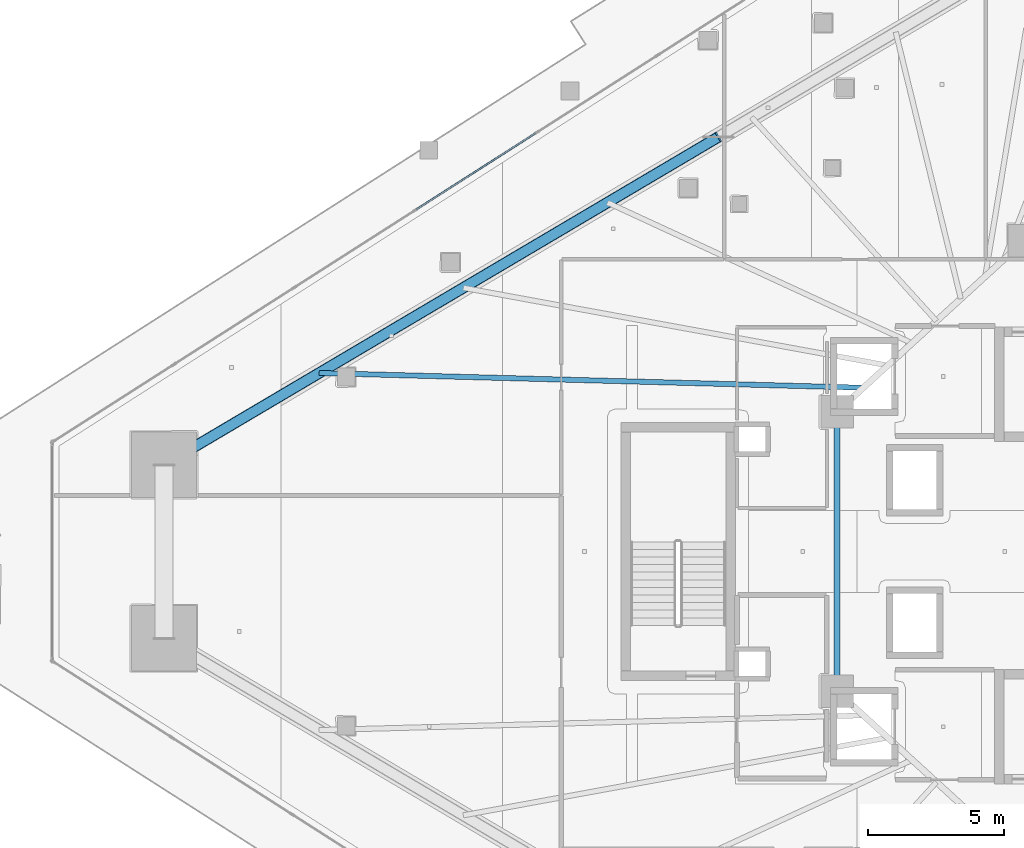
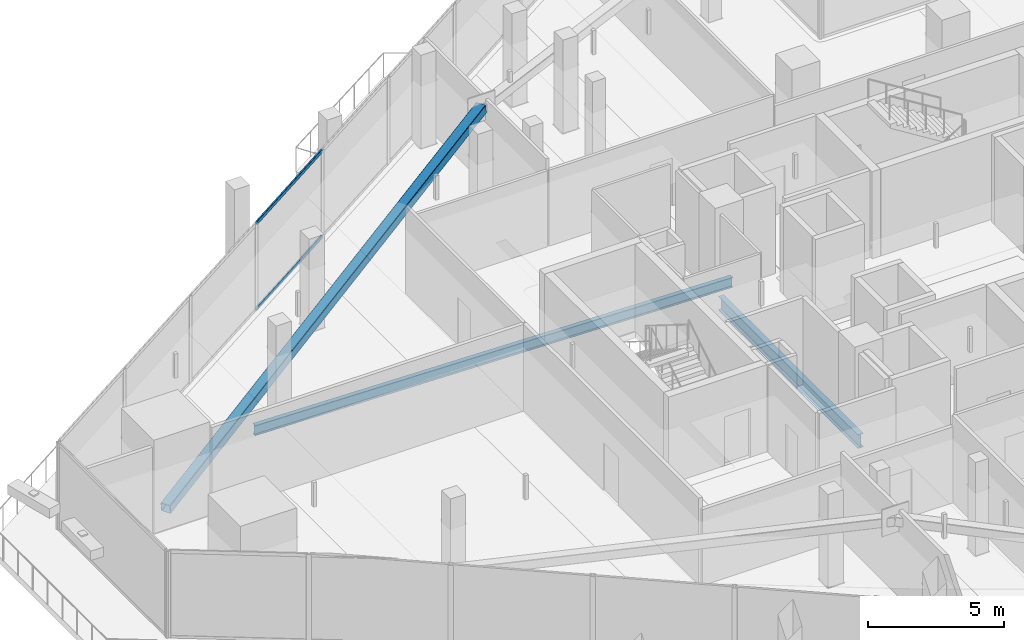
# One storey, part 13 of 47: 3 members, 2 beams, 1 element without a shape of its own.
"""IFC4 building model written with IfcOpenShell, lengths in metres."""

from ifc_helpers import new_model, si_unit, direction, frame, origin, origin_2d, place, context, subcontext, project, spatial, hollow_rectangle, i_section, extrude, material, layer, layer_set, material_profile, profile_set, type_object, element, aggregate, save


model = new_model("IFC4")

# Units and contexts
model_context = context("Model", 3, precision=1e-05, world=origin(), true_north=direction((0.0, 1.0)))
body_context = subcontext(model_context, "Body", "Model", "MODEL_VIEW")
ifc_project = project(units=[si_unit("LENGTHUNIT", "METRE"), si_unit("AREAUNIT", "SQUARE_METRE"), si_unit("VOLUMEUNIT", "CUBIC_METRE"), si_unit("PLANEANGLEUNIT", "RADIAN"), si_unit("MASSUNIT", "GRAM", prefix="KILO")], contexts=[model_context])

# Site, building, storey
site_placement = place(None, origin())
site = spatial("IfcSite", under=ifc_project, at=site_placement, CompositionType="ELEMENT")
building_placement = place(site_placement, origin())
building = spatial("IfcBuilding", under=site, at=building_placement, Name="Qorvath Tower", CompositionType="ELEMENT")
storey_placement = place(building_placement, frame((0.0, 0.0, 74.39990234375)))
storey = spatial("IfcBuildingStorey", under=building, at=storey_placement, Name="L16", CompositionType="ELEMENT", Elevation=74.39990234375)

# Beams
ifc_material_1 = material(Name="Steel ASTM A992 Grade 50", Category="steel")
ifc_material_profile_1 = material_profile(ifc_material_1, i_section(OverallWidth=0.22998046875, OverallDepth=0.616943359375, WebThickness=0.01318359375, FlangeThickness=0.022216796875, FilletRadius=0.014892578125, at=origin_2d()), Name="W24x94")
ifc_profile_set_1 = profile_set([ifc_material_profile_1], Name="Steel ASTM A992 Grade 50")
beam_type_1 = type_object("IfcBeamType", Name="BM-FG6", PredefinedType="BEAM", material=ifc_profile_set_1)
beam_1_placement = place(storey_placement, frame((-30.5, -5.14990234375, -0.58837890625), z_axis=(0.0, 1.0, 0.0), x_axis=(-1.0, 0.0, 0.0)))
element("IfcBeam", 1, at=beam_1_placement, inside=storey, type_object=beam_type_1, Name="Core Ring Girder CC6-CC5 L16", PredefinedType="BEAM", context=body_context, shape_type="SweptSolid", body=[
    extrude(i_section(OverallWidth=0.22998046875, OverallDepth=0.616943359375, WebThickness=0.01318359375, FlangeThickness=0.022216796875, FilletRadius=0.014892578125, at=origin_2d()), origin(), (0.0, 0.0, 1.0), 10.2998046875),
])
ifc_material_2 = material(Name="Steel ASTM A992 Grade 50", Category="steel")
ifc_material_profile_2 = material_profile(ifc_material_2, i_section(OverallWidth=0.18994140625, OverallDepth=0.45703125, WebThickness=0.009033203125, FlangeThickness=0.014404296875, FilletRadius=0.011962890625, at=origin_2d()), Name="W18x50")
ifc_profile_set_2 = profile_set([ifc_material_profile_2], Name="Steel ASTM A992 Grade 50")
beam_type_2 = type_object("IfcBeamType", Name="BM-FJ2", PredefinedType="JOIST", material=ifc_profile_set_2)
beam_2_placement = place(storey_placement, frame((-29.533935546875, 6.031982421875, -0.50830078125), z_axis=(-0.999634925413, 0.02701880631, 0.0), x_axis=(-0.02701880631, -0.999634925413, 0.0)))
element("IfcBeam", 2, at=beam_2_placement, inside=storey, type_object=beam_type_2, Name="Composite Floor Joist NW1 L16", PredefinedType="JOIST", context=body_context, shape_type="SweptSolid", body=[
    extrude(i_section(OverallWidth=0.18994140625, OverallDepth=0.45703125, WebThickness=0.009033203125, FlangeThickness=0.014404296875, FilletRadius=0.011962890625, at=origin_2d()), origin(), (0.0, 0.0, 1.0), 20.041748046875),
])

# Curtain wall, members
ifc_material_3 = material(Name="Anodised aluminium and triple low-E glass", Category="aluminium")
ifc_layer = layer(ifc_material_3, 0.179931640625)
ifc_layer_set = layer_set([ifc_layer], Name="CW-SYS-5")
curtain_wall_type = type_object("IfcCurtainWallType", Name="CW-SYS-5", PredefinedType="NOTDEFINED", material=ifc_layer_set)
curtain_wall_placement = place(storey_placement, origin())
curtain_wall = element("IfcCurtainWall", 3, at=curtain_wall_placement, inside=storey, type_object=curtain_wall_type, Name="Curtain Wall CW-5 CW-T-L16-4.1", PredefinedType="NOTDEFINED")
ifc_material_4 = material(Name="Anodised aluminium 6063-T6", Category="aluminium")
ifc_material_profile_3 = material_profile(ifc_material_4, hollow_rectangle(XDim=0.06494140625, YDim=0.159912109375, WallThickness=0.00341796875, InnerFilletRadius=0.00341796875, OuterFilletRadius=0.007080078125, at=origin_2d()), Name="CWT 160x65")
ifc_profile_set_3 = profile_set([ifc_material_profile_3], Name="Anodised aluminium 6063-T6")
member_type_1 = type_object("IfcMemberType", Name="CWT-160", PredefinedType="USERDEFINED", material=ifc_profile_set_3)
member_1_placement = place(storey_placement, frame((-41.59814453125, 15.405517578125, 0.032470703125), z_axis=(-0.842605385104, -0.538531489324, 0.0), x_axis=(0.538531489324, -0.842605385104, 0.0)))
member_1 = element("IfcMember", 4, at=member_1_placement, type_object=member_type_1, Name="CW-5 transom 6.1", ObjectType="TRANSOM", PredefinedType="USERDEFINED", context=body_context, shape_type="SweptSolid", body=[
    extrude(hollow_rectangle(XDim=0.06494140625, YDim=0.159912109375, WallThickness=0.00341796875, InnerFilletRadius=0.00341796875, OuterFilletRadius=0.007080078125, at=origin_2d()), origin(), (0.0, 0.0, 1.0), 5.21484375),
])
member_2_placement = place(storey_placement, frame((-41.59814453125, 15.405517578125, 3.8876953125), z_axis=(-0.842605385104, -0.538531489324, 0.0), x_axis=(0.538531489324, -0.842605385104, 0.0)))
member_2 = element("IfcMember", 5, at=member_2_placement, type_object=member_type_1, Name="CW-5 transom 6.2", ObjectType="TRANSOM", PredefinedType="USERDEFINED", context=body_context, shape_type="SweptSolid", body=[
    extrude(hollow_rectangle(XDim=0.06494140625, YDim=0.159912109375, WallThickness=0.00341796875, InnerFilletRadius=0.00341796875, OuterFilletRadius=0.007080078125, at=origin_2d()), origin(), (0.0, 0.0, 1.0), 5.21484375),
])
aggregate(curtain_wall, [member_1, member_2])

# Member
ifc_material_5 = material(Name="Steel ASTM A500 Grade C", Category="steel")
ifc_material_profile_4 = material_profile(ifc_material_5, hollow_rectangle(XDim=0.406494140625, YDim=0.406494140625, WallThickness=0.015869140625, InnerFilletRadius=0.015869140625, OuterFilletRadius=0.03173828125, at=origin_2d()), Name="HSS 406x406x16")
ifc_profile_set_4 = profile_set([ifc_material_profile_4], Name="Steel ASTM A500 Grade C")
member_type_2 = type_object("IfcMemberType", Name="MEM-MB1", PredefinedType="BRACE", material=ifc_profile_set_4)
member_3_placement = place(storey_placement, frame((-55.282958984375, 3.194580078125, 0.0), z_axis=(0.851179990517, 0.503309705145, 0.148902533391), x_axis=(-0.50898392026, 0.86077602715, 0.0)))
element("IfcMember", 6, at=member_3_placement, inside=storey, type_object=member_type_2, Name="Perimeter Chevron Brace L16-1B", PredefinedType="BRACE", context=body_context, shape_type="SweptSolid", body=[
    extrude(hollow_rectangle(XDim=0.406494140625, YDim=0.406494140625, WallThickness=0.015869140625, InnerFilletRadius=0.015869140625, OuterFilletRadius=0.03173828125, at=origin_2d()), origin(), (0.0, 0.0, 1.0), 23.9775390625),
])

save(model, "model.ifc")
